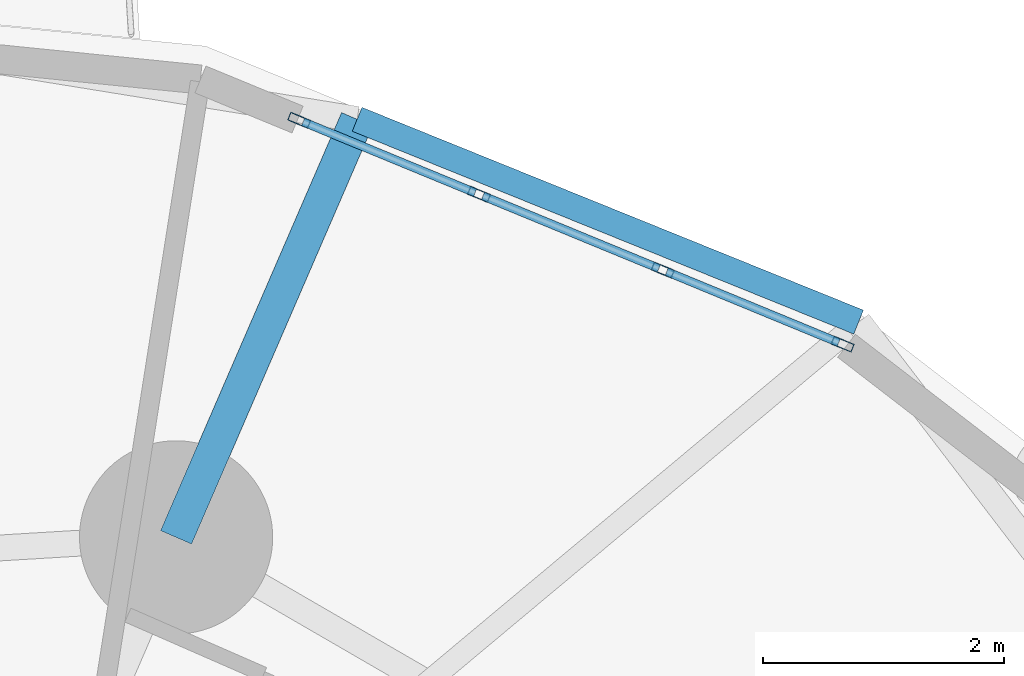
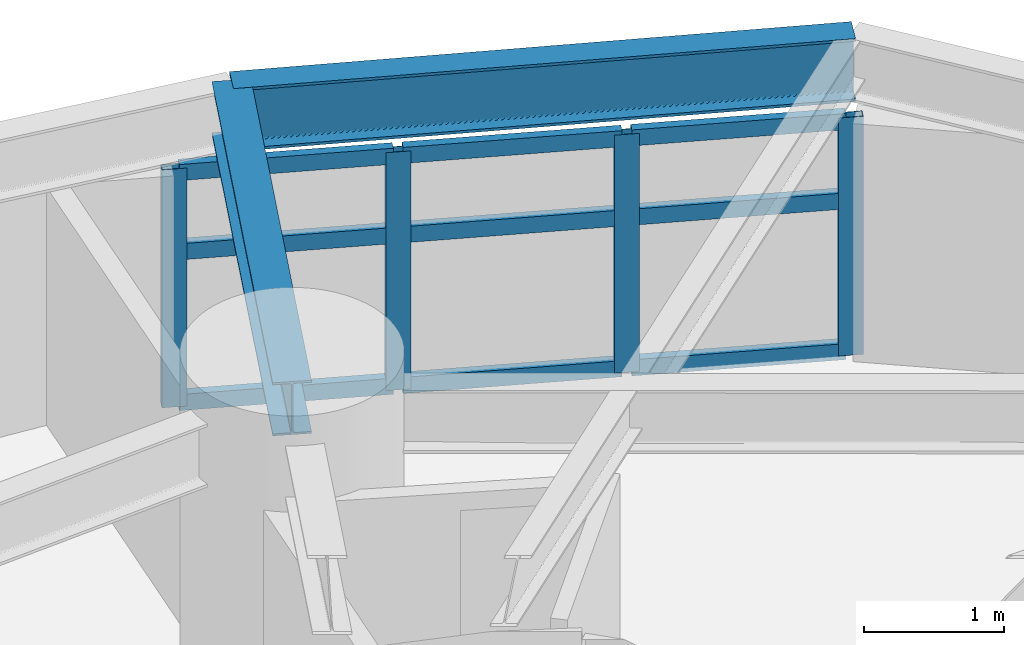
# One storey, part 6 of 18: 13 members, 2 beams, 1 element without a shape of its own.
"""IFC4 building model written with IfcOpenShell, lengths in metres."""

from ifc_helpers import new_model, si_unit, direction, frame, origin, origin_2d, place, context, subcontext, project, spatial, hollow_rectangle, i_section, extrude, material, layer, layer_set, material_profile, profile_set, type_object, element, aggregate, save


model = new_model("IFC4")

# Units and contexts
model_context = context("Model", 3, precision=1e-05, world=origin(), true_north=direction((0.0, 1.0)))
body_context = subcontext(model_context, "Body", "Model", "MODEL_VIEW")
ifc_project = project(units=[si_unit("LENGTHUNIT", "METRE"), si_unit("AREAUNIT", "SQUARE_METRE"), si_unit("VOLUMEUNIT", "CUBIC_METRE"), si_unit("PLANEANGLEUNIT", "RADIAN"), si_unit("MASSUNIT", "GRAM", prefix="KILO")], contexts=[model_context])

# Site, building, storey
site_placement = place(None, origin())
site = spatial("IfcSite", under=ifc_project, at=site_placement, CompositionType="ELEMENT")
building_placement = place(site_placement, origin())
building = spatial("IfcBuilding", under=site, at=building_placement, Name="Cununo Teusaquillo Station Towers", CompositionType="ELEMENT")
storey_placement = place(building_placement, frame((0.0, 0.0, 51.10009765625)))
storey = spatial("IfcBuildingStorey", under=building, at=storey_placement, Name="L15", CompositionType="ELEMENT", Elevation=51.10009765625)

# Beams
ifc_material_1 = material(Name="Steel ASTM A572 Grade 50", Category="steel")
ifc_material_profile_1 = material_profile(ifc_material_1, i_section(OverallWidth=0.280029296875, OverallDepth=0.462890625, WebThickness=0.0107421875, FlangeThickness=0.017333984375, FilletRadius=0.013916015625, at=origin_2d()), Name="W18X76")
ifc_profile_set_1 = profile_set([ifc_material_profile_1], Name="Steel ASTM A572 Grade 50")
beam_type_1 = type_object("IfcBeamType", Name="BM-RAD-G1", PredefinedType="BEAM", material=ifc_profile_set_1)
beam_1_placement = place(storey_placement, frame((58.291015625, 37.63525390625, 2.41845703125), z_axis=(0.397391354301, 0.917649231203, 0.0), x_axis=(-0.917649231203, 0.397391354301, 0.0)))
element("IfcBeam", 1, at=beam_1_placement, inside=storey, type_object=beam_type_1, Name="L15 Tower B Perimeter Overhang Girder 02B", PredefinedType="BEAM", context=body_context, shape_type="SweptSolid", body=[
    extrude(i_section(OverallWidth=0.280029296875, OverallDepth=0.462890625, WebThickness=0.0107421875, FlangeThickness=0.017333984375, FilletRadius=0.013916015625, at=origin_2d()), origin(), (0.0, 0.0, 1.0), 3.7734375),
])
ifc_material_2 = material(Name="Steel ASTM A572 Grade 50", Category="steel")
ifc_material_profile_2 = material_profile(ifc_material_2, i_section(OverallWidth=0.214111328125, OverallDepth=0.549072265625, WebThickness=0.0146484375, FlangeThickness=0.023681640625, FilletRadius=0.014892578125, at=origin_2d()), Name="W21X93")
ifc_profile_set_2 = profile_set([ifc_material_profile_2], Name="Steel ASTM A572 Grade 50")
beam_type_2 = type_object("IfcBeamType", Name="BM-RING-Z1", PredefinedType="SPANDREL", material=ifc_profile_set_2)
beam_2_placement = place(storey_placement, frame((63.9443359375, 39.418212890625, 2.37548828125), z_axis=(-0.927072194447, 0.374882843411, 0.0), x_axis=(-0.374882843411, -0.927072194447, 0.0)))
element("IfcBeam", 2, at=beam_2_placement, inside=storey, type_object=beam_type_2, Name="L15 Tower B Spandrel Ring Beam 02", PredefinedType="SPANDREL", context=body_context, shape_type="SweptSolid", body=[
    extrude(i_section(OverallWidth=0.214111328125, OverallDepth=0.549072265625, WebThickness=0.0146484375, FlangeThickness=0.023681640625, FilletRadius=0.014892578125, at=origin_2d()), origin(), (0.0, 0.0, 1.0), 4.48046875),
])

# Curtain wall, members
ifc_material_3 = material(Name="Operable acoustic tinted low-E double glazing", Category="glass")
ifc_layer = layer(ifc_material_3, 0.179931640625)
ifc_layer_set = layer_set([ifc_layer], Name="Operable acoustic tinted low-E double glazing")
curtain_wall_type = type_object("IfcCurtainWallType", Name="CW-SYS-03", PredefinedType="USERDEFINED", material=ifc_layer_set)
curtain_wall_placement = place(storey_placement, origin())
curtain_wall = element("IfcCurtainWall", 3, at=curtain_wall_placement, inside=storey, type_object=curtain_wall_type, Name="L15 Tower B Facade Curtain Wall C01", ObjectType="OPERABLE GLAZING", PredefinedType="USERDEFINED")
ifc_material_4 = material(Name="Anodised dark bronze aluminium EN AW-6063-T6", Category="aluminium")
ifc_material_profile_3 = material_profile(ifc_material_4, hollow_rectangle(XDim=0.070068359375, YDim=0.179931640625, WallThickness=0.00390625, at=origin_2d()), Name="CW-MULL-70x180")
ifc_profile_set_3 = profile_set([ifc_material_profile_3], Name="Anodised dark bronze aluminium EN AW-6063-T6")
member_type_1 = type_object("IfcMemberType", Name="CWM-180", PredefinedType="MULLION", material=ifc_profile_set_3)
member_1_placement = place(storey_placement, frame((59.310791015625, 41.090576171875, 0.0), z_axis=(0.0, 0.0, 1.0), x_axis=(0.381006438517, 0.924572384299, 0.0)))
member_1 = element("IfcMember", 4, at=member_1_placement, type_object=member_type_1, Name="CW-03 mullion 1", PredefinedType="MULLION", context=body_context, shape_type="SweptSolid", body=[
    extrude(hollow_rectangle(XDim=0.070068359375, YDim=0.179931640625, WallThickness=0.00390625, at=origin_2d()), origin(), (0.0, 0.0, 1.0), 2.072998046875),
])
member_2_placement = place(storey_placement, frame((60.800537109375, 40.4765625, 0.0), z_axis=(0.0, 0.0, 1.0), x_axis=(0.381006438517, 0.924572384299, 0.0)))
member_2 = element("IfcMember", 5, at=member_2_placement, type_object=member_type_1, Name="CW-03 mullion 2", PredefinedType="MULLION", context=body_context, shape_type="SweptSolid", body=[
    extrude(hollow_rectangle(XDim=0.070068359375, YDim=0.179931640625, WallThickness=0.00390625, at=origin_2d()), origin(), (0.0, 0.0, 1.0), 2.072998046875),
])
member_3_placement = place(storey_placement, frame((62.322509765625, 39.849365234375, 0.0), z_axis=(0.0, 0.0, 1.0), x_axis=(0.381006438517, 0.924572384299, 0.0)))
member_3 = element("IfcMember", 6, at=member_3_placement, type_object=member_type_1, Name="CW-03 mullion 3", PredefinedType="MULLION", context=body_context, shape_type="SweptSolid", body=[
    extrude(hollow_rectangle(XDim=0.070068359375, YDim=0.179931640625, WallThickness=0.00390625, at=origin_2d()), origin(), (0.0, 0.0, 1.0), 2.072998046875),
])
member_4_placement = place(storey_placement, frame((63.812255859375, 39.235595703125, 0.0), z_axis=(0.0, 0.0, 1.0), x_axis=(0.381006438517, 0.924572384299, 0.0)))
member_4 = element("IfcMember", 7, at=member_4_placement, type_object=member_type_1, Name="CW-03 mullion 4", PredefinedType="MULLION", context=body_context, shape_type="SweptSolid", body=[
    extrude(hollow_rectangle(XDim=0.070068359375, YDim=0.179931640625, WallThickness=0.00390625, at=origin_2d()), origin(), (0.0, 0.0, 1.0), 2.072998046875),
])
ifc_material_5 = material(Name="Anodised dark bronze aluminium EN AW-6063-T6", Category="aluminium")
ifc_material_profile_4 = material_profile(ifc_material_5, hollow_rectangle(XDim=0.070068359375, YDim=0.139892578125, WallThickness=0.00390625, at=origin_2d()), Name="CW-TRAN-70x140")
ifc_profile_set_4 = profile_set([ifc_material_profile_4], Name="Anodised dark bronze aluminium EN AW-6063-T6")
member_type_2 = type_object("IfcMemberType", Name="CWT-140", PredefinedType="USERDEFINED", material=ifc_profile_set_4)
member_5_placement = place(storey_placement, frame((59.34326171875, 41.0771484375, 0.034912109375), z_axis=(0.924569788206, -0.381012738286, 0.0), x_axis=(0.381012738286, 0.924569788206, 0.0)))
member_5 = element("IfcMember", 8, at=member_5_placement, type_object=member_type_2, Name="CW-03 transom 1.1", ObjectType="TRANSOM", PredefinedType="USERDEFINED", context=body_context, shape_type="SweptSolid", body=[
    extrude(hollow_rectangle(XDim=0.070068359375, YDim=0.139892578125, WallThickness=0.00390625, at=origin_2d()), origin(), (0.0, 0.0, 1.0), 1.541015625),
])
member_6_placement = place(storey_placement, frame((59.34326171875, 41.0771484375, 1.346923828125), z_axis=(0.924569788206, -0.381012738286, 0.0), x_axis=(0.381012738286, 0.924569788206, 0.0)))
member_6 = element("IfcMember", 9, at=member_6_placement, type_object=member_type_2, Name="CW-03 transom 1.2", ObjectType="TRANSOM", PredefinedType="USERDEFINED", context=body_context, shape_type="SweptSolid", body=[
    extrude(hollow_rectangle(XDim=0.070068359375, YDim=0.139892578125, WallThickness=0.00390625, at=origin_2d()), origin(), (0.0, 0.0, 1.0), 1.541015625),
])
member_7_placement = place(storey_placement, frame((59.34326171875, 41.0771484375, 2.037841796875), z_axis=(0.924569788206, -0.381012738286, 0.0), x_axis=(0.381012738286, 0.924569788206, 0.0)))
member_7 = element("IfcMember", 10, at=member_7_placement, type_object=member_type_2, Name="CW-03 transom 1.3", ObjectType="TRANSOM", PredefinedType="USERDEFINED", context=body_context, shape_type="SweptSolid", body=[
    extrude(hollow_rectangle(XDim=0.070068359375, YDim=0.139892578125, WallThickness=0.00390625, at=origin_2d()), origin(), (0.0, 0.0, 1.0), 1.541015625),
])
member_8_placement = place(storey_placement, frame((60.832763671875, 40.46337890625, 0.034912109375), z_axis=(0.924559362958, -0.381038035329, 0.0), x_axis=(0.381038035329, 0.924559362958, 0.0)))
member_8 = element("IfcMember", 11, at=member_8_placement, type_object=member_type_2, Name="CW-03 transom 2.1", ObjectType="TRANSOM", PredefinedType="USERDEFINED", context=body_context, shape_type="SweptSolid", body=[
    extrude(hollow_rectangle(XDim=0.070068359375, YDim=0.139892578125, WallThickness=0.00390625, at=origin_2d()), origin(), (0.0, 0.0, 1.0), 1.576171875),
])
member_9_placement = place(storey_placement, frame((60.832763671875, 40.46337890625, 1.346923828125), z_axis=(0.924559362958, -0.381038035329, 0.0), x_axis=(0.381038035329, 0.924559362958, 0.0)))
member_9 = element("IfcMember", 12, at=member_9_placement, type_object=member_type_2, Name="CW-03 transom 2.2", ObjectType="TRANSOM", PredefinedType="USERDEFINED", context=body_context, shape_type="SweptSolid", body=[
    extrude(hollow_rectangle(XDim=0.070068359375, YDim=0.139892578125, WallThickness=0.00390625, at=origin_2d()), origin(), (0.0, 0.0, 1.0), 1.576171875),
])
member_10_placement = place(storey_placement, frame((60.832763671875, 40.46337890625, 2.037841796875), z_axis=(0.924559362958, -0.381038035329, 0.0), x_axis=(0.381038035329, 0.924559362958, 0.0)))
member_10 = element("IfcMember", 13, at=member_10_placement, type_object=member_type_2, Name="CW-03 transom 2.3", ObjectType="TRANSOM", PredefinedType="USERDEFINED", context=body_context, shape_type="SweptSolid", body=[
    extrude(hollow_rectangle(XDim=0.070068359375, YDim=0.139892578125, WallThickness=0.00390625, at=origin_2d()), origin(), (0.0, 0.0, 1.0), 1.576171875),
])
member_11_placement = place(storey_placement, frame((62.35498046875, 39.836181640625, 0.034912109375), z_axis=(0.92451397274, -0.381148152572, 0.0), x_axis=(0.381148152572, 0.92451397274, 0.0)))
member_11 = element("IfcMember", 14, at=member_11_placement, type_object=member_type_2, Name="CW-03 transom 3.1", ObjectType="TRANSOM", PredefinedType="USERDEFINED", context=body_context, shape_type="SweptSolid", body=[
    extrude(hollow_rectangle(XDim=0.070068359375, YDim=0.139892578125, WallThickness=0.00390625, at=origin_2d()), origin(), (0.0, 0.0, 1.0), 1.541259765625),
])
member_12_placement = place(storey_placement, frame((62.35498046875, 39.836181640625, 1.346923828125), z_axis=(0.92451397274, -0.381148152572, 0.0), x_axis=(0.381148152572, 0.92451397274, 0.0)))
member_12 = element("IfcMember", 15, at=member_12_placement, type_object=member_type_2, Name="CW-03 transom 3.2", ObjectType="TRANSOM", PredefinedType="USERDEFINED", context=body_context, shape_type="SweptSolid", body=[
    extrude(hollow_rectangle(XDim=0.070068359375, YDim=0.139892578125, WallThickness=0.00390625, at=origin_2d()), origin(), (0.0, 0.0, 1.0), 1.541259765625),
])
member_13_placement = place(storey_placement, frame((62.35498046875, 39.836181640625, 2.037841796875), z_axis=(0.92451397274, -0.381148152572, 0.0), x_axis=(0.381148152572, 0.92451397274, 0.0)))
member_13 = element("IfcMember", 16, at=member_13_placement, type_object=member_type_2, Name="CW-03 transom 3.3", ObjectType="TRANSOM", PredefinedType="USERDEFINED", context=body_context, shape_type="SweptSolid", body=[
    extrude(hollow_rectangle(XDim=0.070068359375, YDim=0.139892578125, WallThickness=0.00390625, at=origin_2d()), origin(), (0.0, 0.0, 1.0), 1.541259765625),
])
aggregate(curtain_wall, [member_1, member_2, member_3, member_4, member_5, member_6, member_7, member_8, member_9, member_10, member_11, member_12, member_13])

save(model, "model.ifc")
